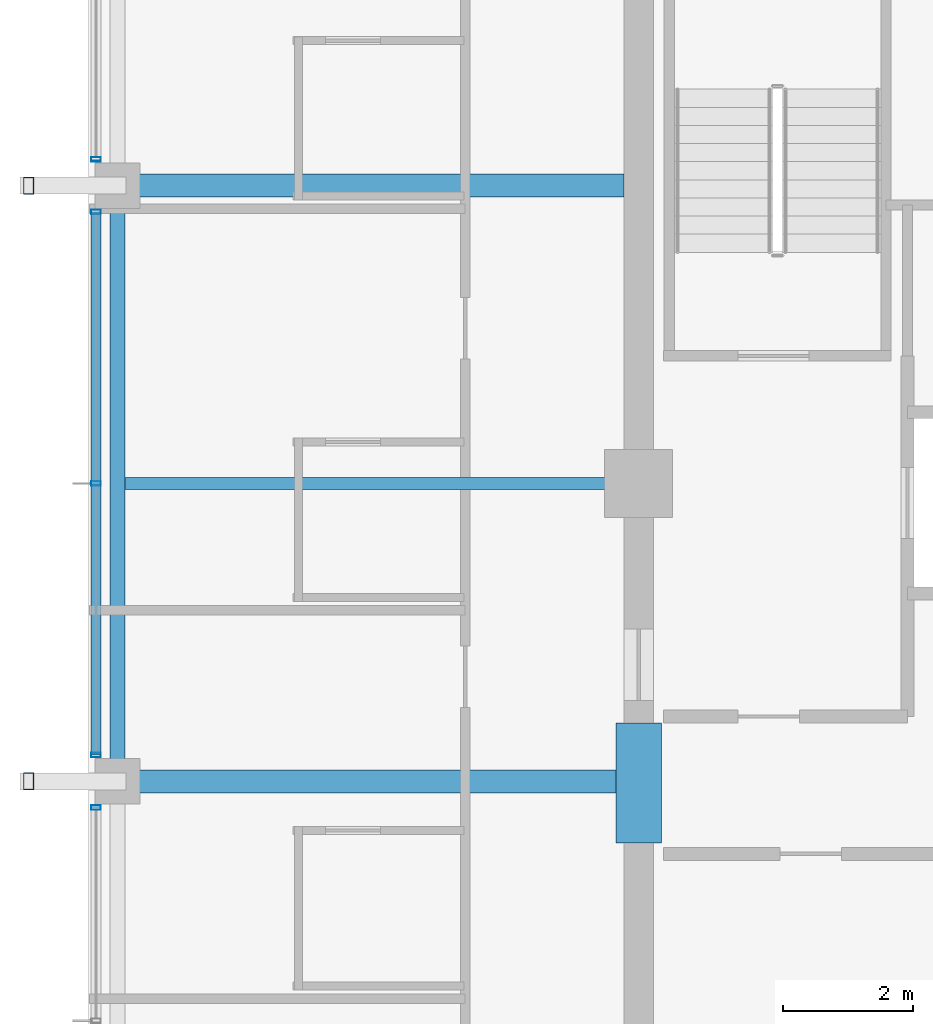
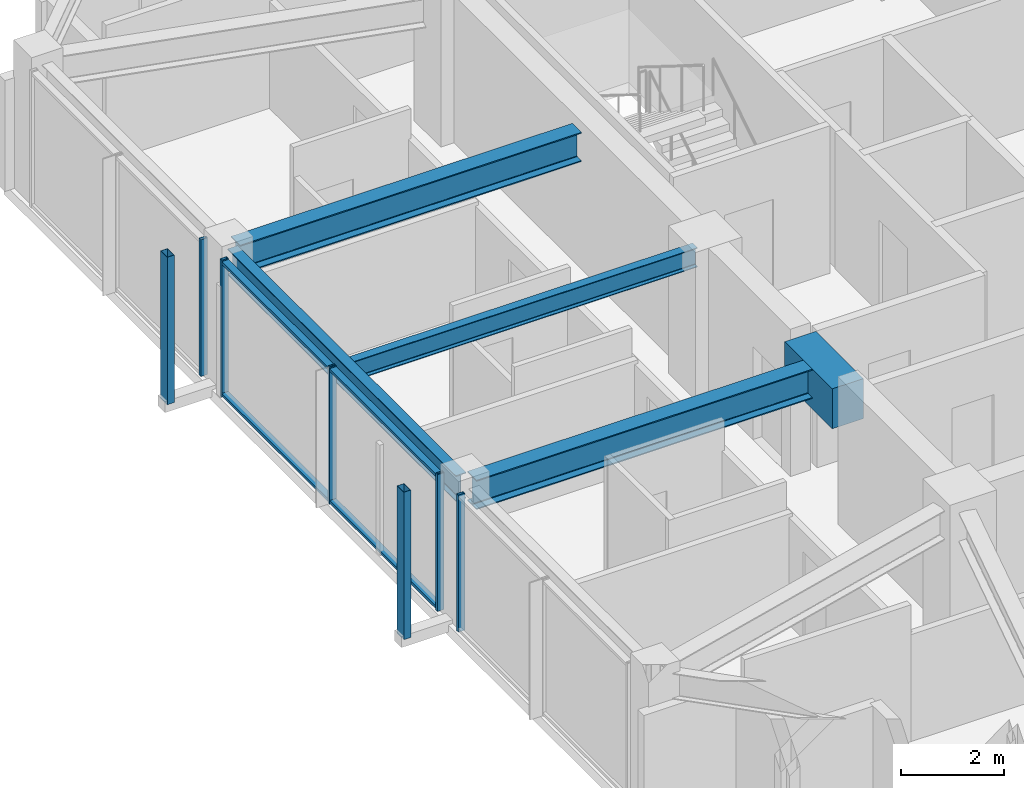
# One storey, part 8 of 31: 9 members, 5 beams, 3 elements without a shape of their own.
"""IFC4 building model written with IfcOpenShell, lengths in metres."""

from ifc_helpers import new_model, si_unit, direction, frame, origin, origin_2d, place, context, subcontext, project, spatial, rectangle, hollow_rectangle, i_section, extrude, material, material_profile, profile_set, type_object, element, aggregate, save


model = new_model("IFC4")

# Units and contexts
model_context = context("Model", 3, precision=1e-05, world=origin(), true_north=direction((0.0, 1.0)))
body_context = subcontext(model_context, "Body", "Model", "MODEL_VIEW")
ifc_project = project(units=[si_unit("LENGTHUNIT", "METRE"), si_unit("AREAUNIT", "SQUARE_METRE"), si_unit("VOLUMEUNIT", "CUBIC_METRE"), si_unit("PLANEANGLEUNIT", "RADIAN"), si_unit("MASSUNIT", "GRAM", prefix="KILO")], contexts=[model_context])

# Site, building, storey
site_placement = place(None, origin())
site = spatial("IfcSite", under=ifc_project, at=site_placement, CompositionType="ELEMENT")
building_placement = place(site_placement, origin())
building = spatial("IfcBuilding", under=site, at=building_placement, Name="Kolvaren Belvedere", CompositionType="ELEMENT")
storey_placement = place(building_placement, frame((0.0, 0.0, 247.89990234375)))
storey = spatial("IfcBuildingStorey", under=building, at=storey_placement, Name="L72", CompositionType="ELEMENT", Elevation=247.89990234375)

# Beams
ifc_material_1 = material(Name="Structural steel ASTM A992 Grade 50", Category="steel")
ifc_material_profile_1 = material_profile(ifc_material_1, i_section(OverallWidth=0.35498046875, OverallDepth=0.696044921875, WebThickness=0.015380859375, FlangeThickness=0.02490234375, FilletRadius=0.02197265625, at=origin_2d()), Name="W27X146")
ifc_profile_set_1 = profile_set([ifc_material_profile_1], Name="Structural steel ASTM A992 Grade 50")
beam_type_1 = type_object("IfcBeamType", Name="BM-GIRD-W27X146", PredefinedType="BEAM", material=ifc_profile_set_1)
for number, where, z_axis, x_axis, name in (
    (1, (-10.125, 4.60009765625, 2.902099609375), (-1.0, 0.0, 0.0), (0.0, -1.0, 0.0), "L72 West Radial Girder P"),
    (2, (-10.125, -4.60009765625, 2.902099609375), (-1.0, 0.0, 0.0), (0.0, -1.0, 0.0), "L72 West Radial Girder M"),
):
    element("IfcBeam", number, at=place(storey_placement, frame(where, z_axis=z_axis, x_axis=x_axis)), inside=storey, type_object=beam_type_1, Name=name, PredefinedType="BEAM", context=body_context, shape_type="SweptSolid", body=[
        extrude(i_section(OverallWidth=0.35498046875, OverallDepth=0.696044921875, WebThickness=0.015380859375, FlangeThickness=0.02490234375, FilletRadius=0.02197265625, at=origin_2d()), origin(), (0.0, 0.0, 1.0), 7.66748046875),
    ])
ifc_material_2 = material(Name="Structural steel ASTM A992 Grade 50", Category="steel")
ifc_material_profile_2 = material_profile(ifc_material_2, i_section(OverallWidth=0.19091796875, OverallDepth=0.4599609375, WebThickness=0.010009765625, FlangeThickness=0.01611328125, FilletRadius=0.014892578125, at=origin_2d()), Name="W18X55")
ifc_profile_set_2 = profile_set([ifc_material_profile_2], Name="Structural steel ASTM A992 Grade 50")
beam_type_2 = type_object("IfcBeamType", Name="BM-JOIST-W18X55", PredefinedType="BEAM", material=ifc_profile_set_2)
beam_1_placement = place(storey_placement, frame((-10.125, 0.0, 3.02001953125), z_axis=(-1.0, 0.0, 0.0), x_axis=(0.0, -1.0, 0.0)))
element("IfcBeam", 3, at=beam_1_placement, inside=storey, type_object=beam_type_2, Name="L72 West Centre Floor Beam", PredefinedType="BEAM", context=body_context, shape_type="SweptSolid", body=[
    extrude(i_section(OverallWidth=0.19091796875, OverallDepth=0.4599609375, WebThickness=0.010009765625, FlangeThickness=0.01611328125, FilletRadius=0.014892578125, at=origin_2d()), origin(), (0.0, 0.0, 1.0), 7.71044921875),
])
ifc_material_3 = material(Name="Concrete C60/75", Category="concrete")
ifc_material_profile_3 = material_profile(ifc_material_3, rectangle(XDim=0.699951171875, YDim=0.949951171875, at=origin_2d()), Name="RC 700X950")
ifc_profile_set_3 = profile_set([ifc_material_profile_3], Name="Concrete C60/75")
beam_type_3 = type_object("IfcBeamType", Name="BM-LINT-950", PredefinedType="LINTEL", material=ifc_profile_set_3)
beam_2_placement = place(storey_placement, frame((-9.89990234375, -5.550048828125, 2.775146484375), z_axis=(0.0, 1.0, 0.0), x_axis=(-1.0, 0.0, 0.0)))
element("IfcBeam", 4, at=beam_2_placement, inside=storey, type_object=beam_type_3, Name="L72 West Core Coupling Lintel", PredefinedType="LINTEL", context=body_context, shape_type="SweptSolid", body=[
    extrude(rectangle(XDim=0.699951171875, YDim=0.949951171875, at=origin_2d()), origin(), (0.0, 0.0, 1.0), 1.85009765625),
])
ifc_material_4 = material(Name="Structural steel ASTM A992 Grade 50", Category="steel")
ifc_material_profile_4 = material_profile(ifc_material_4, i_section(OverallWidth=0.22900390625, OverallDepth=0.612060546875, WebThickness=0.011962890625, FlangeThickness=0.01953125, FilletRadius=0.01806640625, at=origin_2d()), Name="W24X84")
ifc_profile_set_4 = profile_set([ifc_material_profile_4], Name="Structural steel ASTM A992 Grade 50")
beam_type_4 = type_object("IfcBeamType", Name="BM-SPAN-W24X84", PredefinedType="SPANDREL", material=ifc_profile_set_4)
beam_3_placement = place(storey_placement, frame((-17.949951171875, 4.4423828125, 2.944091796875), z_axis=(0.0, -1.0, 0.0), x_axis=(1.0, 0.0, 0.0)))
element("IfcBeam", 5, at=beam_3_placement, inside=storey, type_object=beam_type_4, Name="L72 Perimeter Spandrel W3-W2", PredefinedType="SPANDREL", context=body_context, shape_type="SweptSolid", body=[
    extrude(i_section(OverallWidth=0.22900390625, OverallDepth=0.612060546875, WebThickness=0.011962890625, FlangeThickness=0.01953125, FilletRadius=0.01806640625, at=origin_2d()), origin(), (0.0, 0.0, 1.0), 8.884765625),
])

# Curtain wall, member
ifc_material_5 = material(Name="Anodised pale-metal aluminium AA 6063-T6", Category="aluminium")
curtain_wall_type = type_object("IfcCurtainWallType", Name="CW-Z5-HIGH", PredefinedType="NOTDEFINED", material=ifc_material_5)
curtain_wall_1_placement = place(storey_placement, origin())
curtain_wall_1 = element("IfcCurtainWall", 6, at=curtain_wall_1_placement, inside=storey, type_object=curtain_wall_type, Name="L72 Unitised Curtain Wall FCW-L72-W-B1", PredefinedType="NOTDEFINED")
ifc_material_6 = material(Name="Anodised pale-metal aluminium AA 6063-T6", Category="aluminium")
ifc_material_profile_5 = material_profile(ifc_material_6, hollow_rectangle(XDim=0.070068359375, YDim=0.14990234375, WallThickness=0.004150390625, at=origin_2d()), Name="ALU-MUL-150X70")
ifc_profile_set_5 = profile_set([ifc_material_profile_5], Name="Anodised pale-metal aluminium AA 6063-T6")
member_type_1 = type_object("IfcMemberType", Name="CW-MUL-150", PredefinedType="MULLION", material=ifc_profile_set_5)
member_1_placement = place(storey_placement, frame((-18.280029296875, -5.0048828125, 0.0), z_axis=(0.0, 0.0, 1.0), x_axis=(0.0, 1.0, 0.0)))
member_1 = element("IfcMember", 7, at=member_1_placement, type_object=member_type_1, Name="FCW-L72-W-B1 Unitised Mullion 3", PredefinedType="MULLION", context=body_context, shape_type="SweptSolid", body=[
    extrude(hollow_rectangle(XDim=0.070068359375, YDim=0.14990234375, WallThickness=0.004150390625, at=origin_2d()), origin(), (0.0, 0.0, 1.0), 3.25),
])
aggregate(curtain_wall_1, [member_1])

# Curtain wall, members
curtain_wall_2_placement = place(storey_placement, origin())
curtain_wall_2 = element("IfcCurtainWall", 8, at=curtain_wall_2_placement, inside=storey, type_object=curtain_wall_type, Name="L72 Unitised Curtain Wall FCW-L72-W-B2", PredefinedType="NOTDEFINED")
member_2_placement = place(storey_placement, frame((-18.280029296875, -4.195068359375, 0.0), z_axis=(0.0, 0.0, 1.0), x_axis=(0.0, 1.0, 0.0)))
member_2 = element("IfcMember", 9, at=member_2_placement, type_object=member_type_1, Name="FCW-L72-W-B2 Unitised Mullion 1", PredefinedType="MULLION", context=body_context, shape_type="SweptSolid", body=[
    extrude(hollow_rectangle(XDim=0.070068359375, YDim=0.14990234375, WallThickness=0.004150390625, at=origin_2d()), origin(), (0.0, 0.0, 1.0), 3.25),
])
member_3_placement = place(storey_placement, frame((-18.280029296875, 0.0, 0.0), z_axis=(0.0, 0.0, 1.0), x_axis=(0.0, 1.0, 0.0)))
member_3 = element("IfcMember", 10, at=member_3_placement, type_object=member_type_1, Name="FCW-L72-W-B2 Unitised Mullion 2", PredefinedType="MULLION", context=body_context, shape_type="SweptSolid", body=[
    extrude(hollow_rectangle(XDim=0.070068359375, YDim=0.14990234375, WallThickness=0.004150390625, at=origin_2d()), origin(), (0.0, 0.0, 1.0), 3.25),
])
member_4_placement = place(storey_placement, frame((-18.280029296875, 4.195068359375, 0.0), z_axis=(0.0, 0.0, 1.0), x_axis=(0.0, 1.0, 0.0)))
member_4 = element("IfcMember", 11, at=member_4_placement, type_object=member_type_1, Name="FCW-L72-W-B2 Unitised Mullion 3", PredefinedType="MULLION", context=body_context, shape_type="SweptSolid", body=[
    extrude(hollow_rectangle(XDim=0.070068359375, YDim=0.14990234375, WallThickness=0.004150390625, at=origin_2d()), origin(), (0.0, 0.0, 1.0), 3.25),
])

# Curtain wall, member
curtain_wall_3_placement = place(storey_placement, origin())
curtain_wall_3 = element("IfcCurtainWall", 12, at=curtain_wall_3_placement, inside=storey, type_object=curtain_wall_type, Name="L72 Unitised Curtain Wall FCW-L72-W-B3", PredefinedType="NOTDEFINED")
member_5_placement = place(storey_placement, frame((-18.280029296875, 5.0048828125, 0.0), z_axis=(0.0, 0.0, 1.0), x_axis=(0.0, 1.0, 0.0)))
member_5 = element("IfcMember", 13, at=member_5_placement, type_object=member_type_1, Name="FCW-L72-W-B3 Unitised Mullion 1", PredefinedType="MULLION", context=body_context, shape_type="SweptSolid", body=[
    extrude(hollow_rectangle(XDim=0.070068359375, YDim=0.14990234375, WallThickness=0.004150390625, at=origin_2d()), origin(), (0.0, 0.0, 1.0), 3.25),
])
aggregate(curtain_wall_3, [member_5])

# Member
ifc_material_7 = material(Name="Anodised pale-metal aluminium AA 6063-T6", Category="aluminium")
ifc_material_profile_6 = material_profile(ifc_material_7, hollow_rectangle(XDim=0.06494140625, YDim=0.14990234375, WallThickness=0.00390625, at=origin_2d()), Name="ALU-TRN-150X65")
ifc_profile_set_6 = profile_set([ifc_material_profile_6], Name="Anodised pale-metal aluminium AA 6063-T6")
member_type_2 = type_object("IfcMemberType", Name="CW-TRN-150", PredefinedType="USERDEFINED", material=ifc_profile_set_6)
member_6_placement = place(storey_placement, frame((-18.280029296875, -4.195068359375, 0.06005859375), z_axis=(0.0, 1.0, 0.0), x_axis=(0.0, 0.0, 1.0)))
member_6 = element("IfcMember", 14, at=member_6_placement, type_object=member_type_2, Name="FCW-L72-W-B2 Sill Transom", ObjectType="TRANSOM", PredefinedType="USERDEFINED", context=body_context, shape_type="SweptSolid", body=[
    extrude(hollow_rectangle(XDim=0.06494140625, YDim=0.14990234375, WallThickness=0.00390625, at=origin_2d()), origin(), (0.0, 0.0, 1.0), 8.39013671875),
])

member_7_placement = place(storey_placement, frame((-18.280029296875, -4.195068359375, 3.190185546875), z_axis=(0.0, 1.0, 0.0), x_axis=(0.0, 0.0, 1.0)))
member_7 = element("IfcMember", 15, at=member_7_placement, type_object=member_type_2, Name="FCW-L72-W-B2 Head Transom", ObjectType="TRANSOM", PredefinedType="USERDEFINED", context=body_context, shape_type="SweptSolid", body=[
    extrude(hollow_rectangle(XDim=0.06494140625, YDim=0.14990234375, WallThickness=0.00390625, at=origin_2d()), origin(), (0.0, 0.0, 1.0), 8.39013671875),
])

aggregate(curtain_wall_2, [member_2, member_3, member_4, member_6, member_7])

# Members
ifc_material_8 = material(Name="Anodised pale-metal aluminium AA 6063-T6", Category="aluminium")
ifc_material_profile_7 = material_profile(ifc_material_8, hollow_rectangle(XDim=0.159912109375, YDim=0.260009765625, WallThickness=0.006591796875, at=origin_2d()), Name="ALU-PF-260X160")
ifc_profile_set_7 = profile_set([ifc_material_profile_7], Name="Anodised pale-metal aluminium AA 6063-T6")
member_type_3 = type_object("IfcMemberType", Name="PF-FRAME-260", PredefinedType="USERDEFINED", material=ifc_profile_set_7)
for number, where, z_axis, x_axis, name in (
    (16, (-19.320068359375, -4.60009765625, 0.0), (0.0, 0.0, 1.0), (1.0, 0.0, 0.0), "L72 Outboard Picture-Frame Vertical W1"),
    (17, (-19.320068359375, 4.60009765625, 0.0), (0.0, 0.0, 1.0), (1.0, 0.0, 0.0), "L72 Outboard Picture-Frame Vertical W2"),
):
    element("IfcMember", number, at=place(storey_placement, frame(where, z_axis=z_axis, x_axis=x_axis)), inside=storey, type_object=member_type_3, Name=name, ObjectType="PICTURE FRAME FIN", PredefinedType="USERDEFINED", context=body_context, shape_type="SweptSolid", body=[
        extrude(hollow_rectangle(XDim=0.159912109375, YDim=0.260009765625, WallThickness=0.006591796875, at=origin_2d()), origin(), (0.0, 0.0, 1.0), 3.5),
    ])

save(model, "model.ifc")
